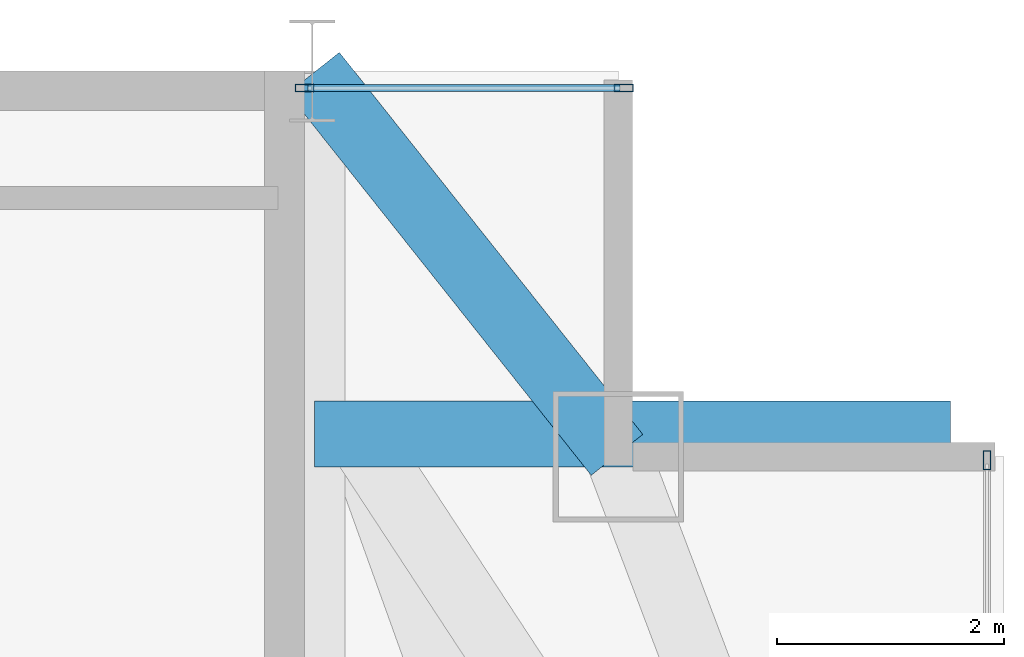
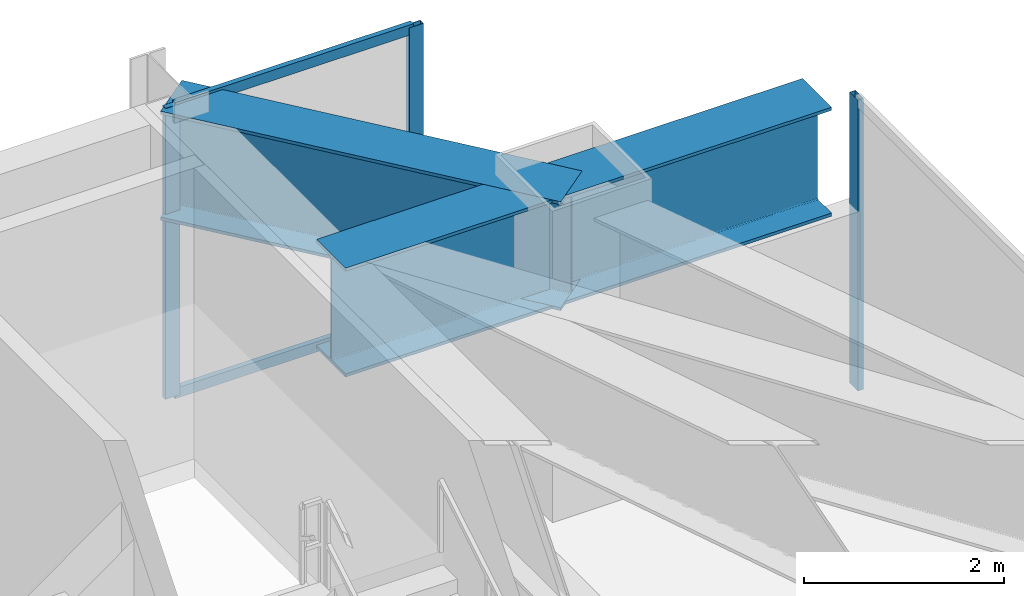
# One storey, part 19 of 23: 5 members, 2 beams, 2 elements without a shape of their own.
"""IFC4 building model written with IfcOpenShell, lengths in metres."""

from ifc_helpers import new_model, si_unit, direction, frame, origin, origin_2d, place, context, subcontext, project, spatial, hollow_rectangle, i_section, extrude, source, transform, mapped, material, layer, layer_set, material_profile, profile_set, type_object, type_shapes, element, aggregate, save


model = new_model("IFC4")

# Units and contexts
model_context = context("Model", 3, precision=1e-05, world=origin(), true_north=direction((0.0, 1.0)))
body_context = subcontext(model_context, "Body", "Model", "MODEL_VIEW")
ifc_project = project(units=[si_unit("LENGTHUNIT", "METRE"), si_unit("AREAUNIT", "SQUARE_METRE"), si_unit("VOLUMEUNIT", "CUBIC_METRE"), si_unit("PLANEANGLEUNIT", "RADIAN"), si_unit("MASSUNIT", "GRAM", prefix="KILO")], contexts=[model_context])

# Site, building, storey
site_placement = place(None, origin())
site = spatial("IfcSite", under=ifc_project, at=site_placement, CompositionType="ELEMENT")
building_placement = place(site_placement, origin())
building = spatial("IfcBuilding", under=site, at=building_placement, Name="Varnel Quay Broadcast Tower", CompositionType="ELEMENT")
storey_placement = place(building_placement, frame((0.0, 0.0, 254.60009765625)))
storey = spatial("IfcBuildingStorey", under=building, at=storey_placement, Name="L63", CompositionType="ELEMENT", Elevation=254.60009765625)

# Beams
ifc_material_1 = material(Name="Structural Steel CSA G40.21 350WT", Category="steel")
ifc_material_profile_1 = material_profile(ifc_material_1, i_section(OverallWidth=0.580078125, OverallDepth=1.330078125, WebThickness=0.02197265625, FlangeThickness=0.0380859375, FilletRadius=0.02001953125, at=origin_2d()), Name="WWF1330X535")
ifc_profile_set_1 = profile_set([ifc_material_profile_1], Name="Structural Steel CSA G40.21 350WT")
beam_type = type_object("IfcBeamType", Name="Girder_WWF1330X535", PredefinedType="BEAM", material=ifc_profile_set_1)
shared_shape_1 = source(origin(), body_context, "Body", "SweptSolid", [
    extrude(i_section(OverallWidth=0.580078125, OverallDepth=1.330078125, WebThickness=0.02197265625, FlangeThickness=0.0380859375, FilletRadius=0.02001953125, at=origin_2d()), origin(), (0.0, 0.0, 1.0), 4.301513671875),
])
beam_1_placement = place(storey_placement, frame((52.412353515625, 46.7841796875, 2.885009765625), z_axis=(0.621936399401, -0.783067758946, 0.0), x_axis=(0.783067758946, 0.621936399401, 0.0)))
element("IfcBeam", 1, at=beam_1_placement, inside=storey, type_object=beam_type, Name="L63 NE Transfer Spine", PredefinedType="BEAM", context=body_context, shape_type="MappedRepresentation", body=[
    mapped(shared_shape_1, transform((0.0, 0.0, 0.0), x_axis=(1.0, 0.0, 0.0), y_axis=(0.0, 1.0, 0.0), z_axis=(0.0, 0.0, 1.0), scale=1.0)),
])
shared_shape_2 = source(origin(), body_context, "Body", "SweptSolid", [
    extrude(i_section(OverallWidth=0.580078125, OverallDepth=1.330078125, WebThickness=0.02197265625, FlangeThickness=0.0380859375, FilletRadius=0.02001953125, at=origin_2d()), origin(), (0.0, 0.0, 1.0), 5.610107421875),
])
type_shapes(beam_type, [shared_shape_1, shared_shape_2])
beam_2_placement = place(storey_placement, frame((52.419921875, 43.60009765625, 2.885009765625), z_axis=(1.0, 0.0, 0.0), x_axis=(0.0, 1.0, 0.0)))
element("IfcBeam", 2, at=beam_2_placement, inside=storey, type_object=beam_type, Name="L63 Setback NE Mega-Column Transfer", PredefinedType="BEAM", context=body_context, shape_type="MappedRepresentation", body=[
    mapped(shared_shape_2, transform((0.0, 0.0, 0.0), x_axis=(1.0, 0.0, 0.0), y_axis=(0.0, 1.0, 0.0), z_axis=(0.0, 0.0, 1.0), scale=1.0)),
])

# Curtain wall, member
ifc_material_2 = material(Name="Anodised Bronze Aluminium 6063-T6", Category="aluminium")
ifc_layer = layer(ifc_material_2, 0.18994140625, Name="Anodised Bronze Aluminium 6063-T6")
ifc_layer_set = layer_set([ifc_layer], Name="Anodised Bronze Aluminium 6063-T6")
curtain_wall_type = type_object("IfcCurtainWallType", Name="CW_UpperTower", PredefinedType="NOTDEFINED", material=ifc_layer_set)
curtain_wall_1_placement = place(storey_placement, origin())
curtain_wall_1 = element("IfcCurtainWall", 3, at=curtain_wall_1_placement, inside=storey, type_object=curtain_wall_type, Name="L63 East Unitised Curtain Wall", PredefinedType="NOTDEFINED")
ifc_material_profile_2 = material_profile(ifc_material_2, hollow_rectangle(XDim=0.06494140625, YDim=0.1650390625, WallThickness=0.00341796875, at=origin_2d()), Name="ALU65X165X3.5")
ifc_profile_set_2 = profile_set([ifc_material_profile_2], Name="Anodised Bronze Aluminium 6063-T6")
member_type_1 = type_object("IfcMemberType", Name="Mull_CWS-03", PredefinedType="MULLION", material=ifc_profile_set_2)
shared_shape_3 = source(origin(), body_context, "Body", "SweptSolid", [
    extrude(hollow_rectangle(XDim=0.06494140625, YDim=0.1650390625, WallThickness=0.00341796875, at=origin_2d()), origin(), (0.0, 0.0, 1.0), 3.5498046875),
])
type_shapes(member_type_1, [shared_shape_3])
member_1_placement = place(storey_placement, frame((58.35009765625, 43.367431640625, 0.0), z_axis=(0.0, 0.0, 1.0), x_axis=(-1.0, 0.0, 0.0)))
member_1 = element("IfcMember", 4, at=member_1_placement, type_object=member_type_1, Name="CWS-03 mullion 3", PredefinedType="MULLION", context=body_context, shape_type="MappedRepresentation", body=[
    mapped(shared_shape_3, transform((0.0, 0.0, 0.0), x_axis=(1.0, 0.0, 0.0), y_axis=(0.0, 1.0, 0.0), z_axis=(0.0, 0.0, 1.0), scale=1.0)),
])
aggregate(curtain_wall_1, [member_1])

# Curtain wall, members
curtain_wall_2_placement = place(storey_placement, origin())
curtain_wall_2 = element("IfcCurtainWall", 5, at=curtain_wall_2_placement, inside=storey, type_object=curtain_wall_type, Name="L63 NE Wing Curtain Wall", PredefinedType="NOTDEFINED")
member_2_placement = place(storey_placement, frame((52.33251953125, 46.64990234375, 0.0), z_axis=(0.0, 0.0, 1.0), x_axis=(0.0, 1.0, 0.0)))
member_2 = element("IfcMember", 6, at=member_2_placement, type_object=member_type_1, Name="CWS-03 mullion 1", PredefinedType="MULLION", context=body_context, shape_type="MappedRepresentation", body=[
    mapped(shared_shape_3, transform((0.0, 0.0, 0.0), x_axis=(1.0, 0.0, 0.0), y_axis=(0.0, 1.0, 0.0), z_axis=(0.0, 0.0, 1.0), scale=1.0)),
])
member_3_placement = place(storey_placement, frame((55.1474609375, 46.64990234375, 0.0), z_axis=(0.0, 0.0, 1.0), x_axis=(0.0, 1.0, 0.0)))
member_3 = element("IfcMember", 7, at=member_3_placement, type_object=member_type_1, Name="CWS-03 mullion 2", PredefinedType="MULLION", context=body_context, shape_type="MappedRepresentation", body=[
    mapped(shared_shape_3, transform((0.0, 0.0, 0.0), x_axis=(1.0, 0.0, 0.0), y_axis=(0.0, 1.0, 0.0), z_axis=(0.0, 0.0, 1.0), scale=1.0)),
])
ifc_material_profile_3 = material_profile(ifc_material_2, hollow_rectangle(XDim=0.06005859375, YDim=0.125, WallThickness=0.0029296875, at=origin_2d()), Name="ALU60X125X3")
ifc_profile_set_3 = profile_set([ifc_material_profile_3], Name="Anodised Bronze Aluminium 6063-T6")
member_type_2 = type_object("IfcMemberType", Name="Tran_CWS-03", PredefinedType="USERDEFINED", material=ifc_profile_set_3)
shared_shape_4 = source(origin(), body_context, "Body", "SweptSolid", [
    extrude(hollow_rectangle(XDim=0.06005859375, YDim=0.125, WallThickness=0.0029296875, at=origin_2d()), origin(), (0.0, 0.0, 1.0), 2.75),
])
type_shapes(member_type_2, [shared_shape_4])
member_4_placement = place(storey_placement, frame((52.364990234375, 46.64990234375, 0.02978515625), z_axis=(1.0, 0.0, 0.0), x_axis=(0.0, 1.0, 0.0)))
member_4 = element("IfcMember", 8, at=member_4_placement, type_object=member_type_2, Name="CWS-03 transom 1.1", ObjectType="TRANSOM", PredefinedType="USERDEFINED", context=body_context, shape_type="MappedRepresentation", body=[
    mapped(shared_shape_4, transform((0.0, 0.0, 0.0), x_axis=(1.0, 0.0, 0.0), y_axis=(0.0, 1.0, 0.0), z_axis=(0.0, 0.0, 1.0), scale=1.0)),
])
member_5_placement = place(storey_placement, frame((52.364990234375, 46.64990234375, 3.52001953125), z_axis=(1.0, 0.0, 0.0), x_axis=(0.0, 1.0, 0.0)))
member_5 = element("IfcMember", 9, at=member_5_placement, type_object=member_type_2, Name="CWS-03 transom 1.2", ObjectType="TRANSOM", PredefinedType="USERDEFINED", context=body_context, shape_type="MappedRepresentation", body=[
    mapped(shared_shape_4, transform((0.0, 0.0, 0.0), x_axis=(1.0, 0.0, 0.0), y_axis=(0.0, 1.0, 0.0), z_axis=(0.0, 0.0, 1.0), scale=1.0)),
])
aggregate(curtain_wall_2, [member_2, member_3, member_4, member_5])

save(model, "model.ifc")
